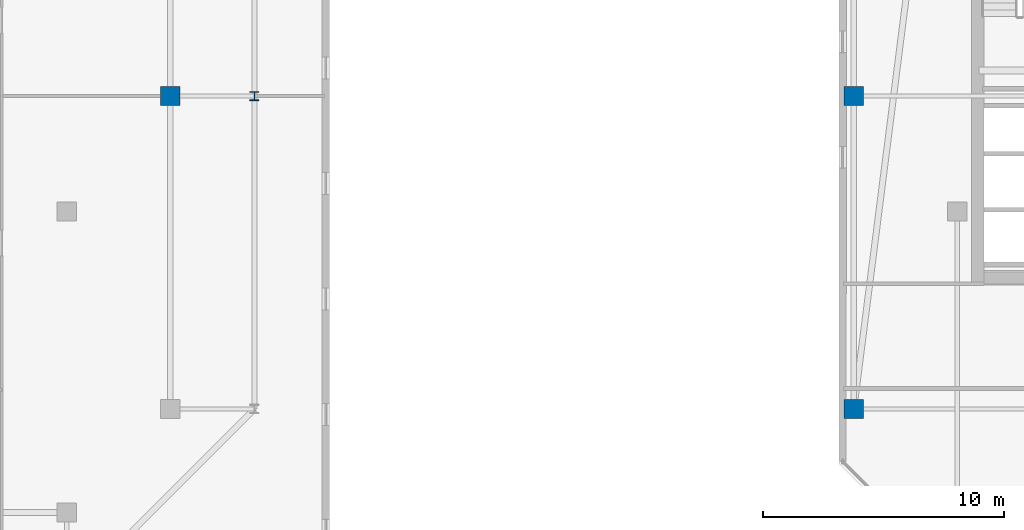
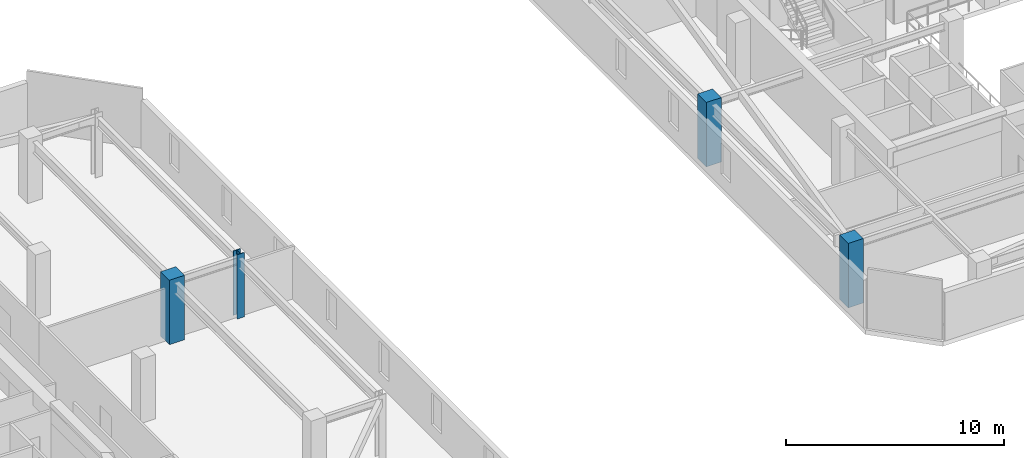
# One storey, part 2 of 34: 4 columns.
"""IFC4 building model written with IfcOpenShell, lengths in metres."""

import ifcopenshell
import ifcopenshell.guid

model = None  # the IFC model being written
_history = None  # IfcOwnerHistory: only IFC2X3 demands one
_inside = {}  # id of a spatial element -> (the spatial element, [elements in it])
_under = {}  # id of a project, library or spatial element -> (it, [spatial elements below it])
_declared = {}  # id of a project -> (the project, [libraries it declares])
_typed = {}  # id of a type object -> (the type object, [elements of that type])
_made_of = {}  # id of a material, layer set ... -> (it, [elements and type objects made of it])


def new_model(schema):
    """Start an empty IFC model of exactly this schema.

    Asked for "IFC4X3", IfcOpenShell would pick the latest addendum, in which some entities
    have other attributes; the version numbers below select the first issue.
    IFC2X3 requires an IfcOwnerHistory on every rooted entity: one is made here for all.
    """
    global model, _history
    if schema == "IFC4X3":
        model = ifcopenshell.file(schema_version=(4, 3, 0, 0))
    else:
        model = ifcopenshell.file(schema=schema)
    _inside.clear()
    _under.clear()
    _declared.clear()
    _typed.clear()
    _made_of.clear()
    _history = None
    if model.schema == "IFC2X3":
        org = make("IfcOrganization", Name="unknown")
        user = make(
            "IfcPersonAndOrganization",
            ThePerson=make("IfcPerson", FamilyName="unknown"),
            TheOrganization=org,
        )
        app = make(
            "IfcApplication",
            ApplicationDeveloper=org,
            Version="unknown",
            ApplicationFullName="unknown",
            ApplicationIdentifier="unknown",
        )
        _history = make(
            "IfcOwnerHistory",
            OwningUser=user,
            OwningApplication=app,
            ChangeAction="ADDED",
            CreationDate=0,
        )
    return model


def make(cls, **values):
    """One entity of the class cls with the attributes given. An attribute that is None is left unset."""
    return model.create_entity(
        cls, **{name: value for name, value in values.items() if value is not None}
    )


def rooted(cls, **values):
    """An entity with a GlobalId (a new one), such as an element, a storey or a relation."""
    return make(cls, GlobalId=ifcopenshell.guid.new(), OwnerHistory=_history, **values)


def si_unit(unit_type, name, prefix=None):
    """IfcSIUnit, for example si_unit("LENGTHUNIT", "METRE", prefix="MILLI")."""
    return make("IfcSIUnit", UnitType=unit_type, Prefix=prefix, Name=name)


def assignment(units):
    """IfcUnitAssignment: the units of a project."""
    return None if units is None else make("IfcUnitAssignment", Units=units)


def point(xyz):
    """IfcCartesianPoint."""
    return None if xyz is None else make("IfcCartesianPoint", Coordinates=xyz)


def direction(xyz):
    """IfcDirection."""
    return None if xyz is None else make("IfcDirection", DirectionRatios=xyz)


def frame(location, z_axis=None, x_axis=None):
    """IfcAxis2Placement3D, a coordinate frame: its origin and axes. An axis left out is left unset."""
    return make(
        "IfcAxis2Placement3D",
        Location=point(location),
        Axis=direction(z_axis),
        RefDirection=direction(x_axis),
    )


def frame_2d(location, x_axis=None):
    """IfcAxis2Placement2D, a coordinate frame in the plane: its origin and x axis."""
    return make(
        "IfcAxis2Placement2D", Location=point(location), RefDirection=direction(x_axis)
    )


def origin():
    """The frame at (0, 0, 0) with its axes left unset."""
    return frame((0.0, 0.0, 0.0))


def origin_2d():
    """The frame at (0, 0) in the plane with its x axis left unset."""
    return frame_2d((0.0, 0.0))


def place(relative_to, where):
    """IfcLocalPlacement: puts the frame where relative to a parent placement (None: the world)."""
    return make(
        "IfcLocalPlacement", PlacementRelTo=relative_to, RelativePlacement=where
    )


def context(
    kind, dimensions, precision=None, world=None, true_north=None, identifier=None
):
    """IfcGeometricRepresentationContext, for example the 3D "Model" context."""
    return make(
        "IfcGeometricRepresentationContext",
        ContextIdentifier=identifier,
        ContextType=kind,
        CoordinateSpaceDimension=dimensions,
        Precision=precision,
        WorldCoordinateSystem=world,
        TrueNorth=true_north,
    )


def subcontext(parent, identifier, kind, view, scale=None):
    """IfcGeometricRepresentationSubContext, for example "Body" below "Model"."""
    return make(
        "IfcGeometricRepresentationSubContext",
        ContextIdentifier=identifier,
        ContextType=kind,
        ParentContext=parent,
        TargetScale=scale,
        TargetView=view,
    )


def project(units=None, contexts=None):
    """IfcProject with its units and contexts."""
    return rooted(
        "IfcProject",
        Name="project",
        RepresentationContexts=contexts,
        UnitsInContext=assignment(units),
    )


def spatial(cls, under=None, at=None, **own):
    """A site, building, storey or space (cls), placed at a placement, below another one or the project."""
    s = rooted(cls, ObjectPlacement=at, **own)
    if under is not None:
        _under.setdefault(under.id(), (under, []))[1].append(s)
    return s


def profile(cls, at=None, kind="AREA", **sizes):
    """A parametric profile (cls). Its sizes go by their IFC names, for example OverallWidth=200.0."""
    return make(cls, ProfileType=kind, Position=at, **sizes)


def rectangle(**sizes):
    """IfcRectangleProfileDef."""
    return profile("IfcRectangleProfileDef", **sizes)


def i_section(**sizes):
    """IfcIShapeProfileDef."""
    return profile("IfcIShapeProfileDef", **sizes)


def extrude(swept, where, along, depth):
    """IfcExtrudedAreaSolid: the profile swept, set in the frame where, extruded along a direction by depth."""
    return make(
        "IfcExtrudedAreaSolid",
        SweptArea=swept,
        Position=where,
        ExtrudedDirection=direction(along),
        Depth=depth,
    )


def shape(context_of_items, identifier, shape_type, items):
    """IfcShapeRepresentation: the items that make up one representation, for example the "Body"."""
    return make(
        "IfcShapeRepresentation",
        ContextOfItems=context_of_items,
        RepresentationIdentifier=identifier,
        RepresentationType=shape_type,
        Items=items,
    )


def material(Name=None, Category=None):
    """IfcMaterial."""
    return make("IfcMaterial", Name=Name, Category=Category)


def material_profile(
    of_material, cross_section, Name=None, Category=None, Priority=None
):
    """IfcMaterialProfile: a cross section and its material."""
    return make(
        "IfcMaterialProfile",
        Name=Name,
        Material=of_material,
        Profile=cross_section,
        Priority=Priority,
        Category=Category,
    )


def profile_set(profiles, Name=None, composite=None):
    """IfcMaterialProfileSet."""
    return make(
        "IfcMaterialProfileSet",
        Name=Name,
        MaterialProfiles=profiles,
        CompositeProfile=composite,
    )


def made_of(thing, what):
    """Note that an element or type object is made of a material, layer set ...; save() writes the relation."""
    if what is not None:
        _made_of.setdefault(what.id(), (what, []))[1].append(thing)
    return thing


def type_object(cls, material=None, **own):
    """A type object (cls), such as IfcWallType, which elements share."""
    return made_of(rooted(cls, **own), material)


def element(
    cls,
    number,
    at=None,
    inside=None,
    cuts=None,
    type_object=None,
    material=None,
    context=None,
    identifier="Body",
    shape_type=None,
    held_by="IfcProductDefinitionShape",
    body=None,
    shapes=None,
    **own,
):
    """One element of the class cls, such as IfcWall. Its Tag is "e" and its number.

    at: its placement. inside: the storey or other place that contains it. cuts: it is an
    opening in that element (IfcRelVoidsElement). A single representation is given by context,
    identifier, shape_type and body (its items); several are given by shapes. held_by: the class
    of the entity that holds the representations. save() writes the other relations.
    """
    e = rooted(cls, Tag="e%d" % number, ObjectPlacement=at, **own)
    if body is not None:
        shapes = [shape(context, identifier, shape_type, body)]
    if shapes is not None:
        e.Representation = make(held_by, Representations=shapes)
    if inside is not None:
        _inside.setdefault(inside.id(), (inside, []))[1].append(e)
    if cuts is not None:
        rooted(
            "IfcRelVoidsElement", RelatingBuildingElement=cuts, RelatedOpeningElement=e
        )
    if type_object is not None:
        _typed.setdefault(type_object.id(), (type_object, []))[1].append(e)
    return made_of(e, material)


def aggregate(whole, parts):
    """IfcRelAggregates: a whole, such as a stair, and the parts it consists of."""
    return rooted("IfcRelAggregates", RelatingObject=whole, RelatedObjects=parts)


def save(model, path):
    """Write the relations noted so far, then the file.

    IfcRelAggregates (storeys below a building ...), IfcRelContainedInSpatialStructure (elements
    in a storey), IfcRelDefinesByType, IfcRelAssociatesMaterial and IfcRelDeclares: one each for
    every whole, place, type object, material and project.
    """
    for whole, parts in _under.values():
        aggregate(whole, parts)
    for where, things in _inside.values():
        rooted(
            "IfcRelContainedInSpatialStructure",
            RelatedElements=things,
            RelatingStructure=where,
        )
    for kind, things in _typed.values():
        rooted("IfcRelDefinesByType", RelatedObjects=things, RelatingType=kind)
    for what, things in _made_of.values():
        rooted("IfcRelAssociatesMaterial", RelatedObjects=things, RelatingMaterial=what)
    for by, libraries in _declared.values():
        rooted("IfcRelDeclares", RelatingContext=by, RelatedDefinitions=libraries)
    model.write(path)


model = new_model("IFC4")

# Units and contexts
model_context = context("Model", 3, precision=1e-05, world=origin(), true_north=direction((0.0, 1.0)))
body_context = subcontext(model_context, "Body", "Model", "MODEL_VIEW")
ifc_project = project(units=[si_unit("LENGTHUNIT", "METRE"), si_unit("AREAUNIT", "SQUARE_METRE"), si_unit("VOLUMEUNIT", "CUBIC_METRE"), si_unit("PLANEANGLEUNIT", "RADIAN"), si_unit("MASSUNIT", "GRAM", prefix="KILO")], contexts=[model_context])

# Site, building, storey
site_placement = place(None, origin())
site = spatial("IfcSite", under=ifc_project, at=site_placement, CompositionType="ELEMENT")
building_placement = place(site_placement, origin())
building = spatial("IfcBuilding", under=site, at=building_placement, Name="Thornwick Lancets Civic Towers", CompositionType="ELEMENT")
storey_placement = place(building_placement, frame((0.0, 0.0, 258.300048828125)))
storey = spatial("IfcBuildingStorey", under=building, at=storey_placement, Name="L69", CompositionType="ELEMENT", Elevation=258.300048828125)

# Columns
ifc_material_1 = material(Name="Concrete C50/60", Category="concrete")
ifc_material_profile_1 = material_profile(ifc_material_1, rectangle(XDim=0.800048828125, YDim=0.800048828125, at=origin_2d()), Name="RC 800x800")
ifc_profile_set_1 = profile_set([ifc_material_profile_1], Name="Concrete C50/60")
column_type_1 = type_object("IfcColumnType", Name="COL_RC_800", PredefinedType="COLUMN", material=ifc_profile_set_1)
for number, where, z_axis, x_axis, name in (
    (1, (42.800048828125, 27.0, 0.0), (0.0, 0.0, 1.0), (1.0, 0.0, 0.0), "L69 Spine Mega-Column A05"),
    (2, (71.199951171875, 14.0, 0.0), (0.0, 0.0, 1.0), (1.0, 0.0, 0.0), "L69 Spine Mega-Column B07"),
    (3, (71.199951171875, 27.0, 0.0), (0.0, 0.0, 1.0), (1.0, 0.0, 0.0), "L69 Spine Mega-Column B08"),
):
    element("IfcColumn", number, at=place(storey_placement, frame(where, z_axis=z_axis, x_axis=x_axis)), inside=storey, type_object=column_type_1, Name=name, PredefinedType="COLUMN", context=body_context, shape_type="SweptSolid", body=[
        extrude(rectangle(XDim=0.800048828125, YDim=0.800048828125, at=origin_2d()), origin(), (0.0, 0.0, 1.0), 3.599853515625),
    ])
ifc_material_2 = material(Name="Steel S355JR", Category="steel")
ifc_material_profile_2 = material_profile(ifc_material_2, i_section(OverallWidth=0.374755859375, OverallDepth=0.37451171875, WebThickness=0.0166015625, FlangeThickness=0.027099609375, FilletRadius=0.01513671875, at=origin_2d()), Name="UKC 356x368x202")
ifc_profile_set_2 = profile_set([ifc_material_profile_2], Name="Steel S355JR")
column_type_2 = type_object("IfcColumnType", Name="COL_UKC_202", PredefinedType="COLUMN", material=ifc_profile_set_2)
column_placement = place(storey_placement, frame((46.300048828125, 27.0, 0.0), z_axis=(0.0, 0.0, 1.0), x_axis=(1.0, 0.0, 0.0)))
element("IfcColumn", 4, at=column_placement, inside=storey, type_object=column_type_2, Name="L69 Block Perimeter Column A05", PredefinedType="COLUMN", context=body_context, shape_type="SweptSolid", body=[
    extrude(i_section(OverallWidth=0.374755859375, OverallDepth=0.37451171875, WebThickness=0.0166015625, FlangeThickness=0.027099609375, FilletRadius=0.01513671875, at=origin_2d()), origin(), (0.0, 0.0, 1.0), 3.599853515625),
])

save(model, "model.ifc")
